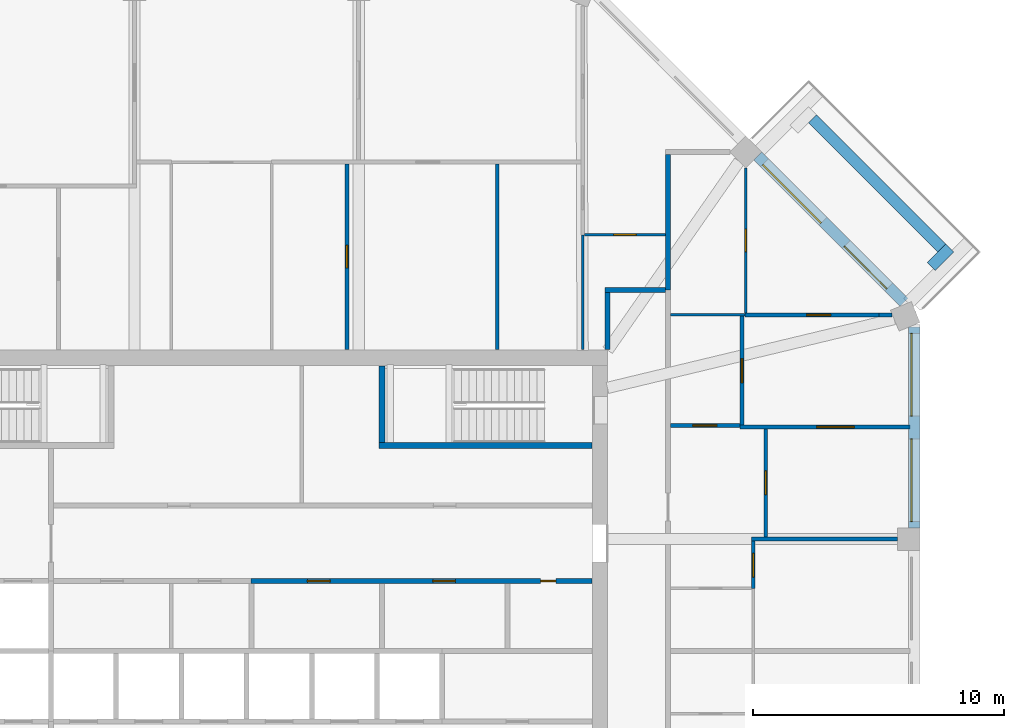
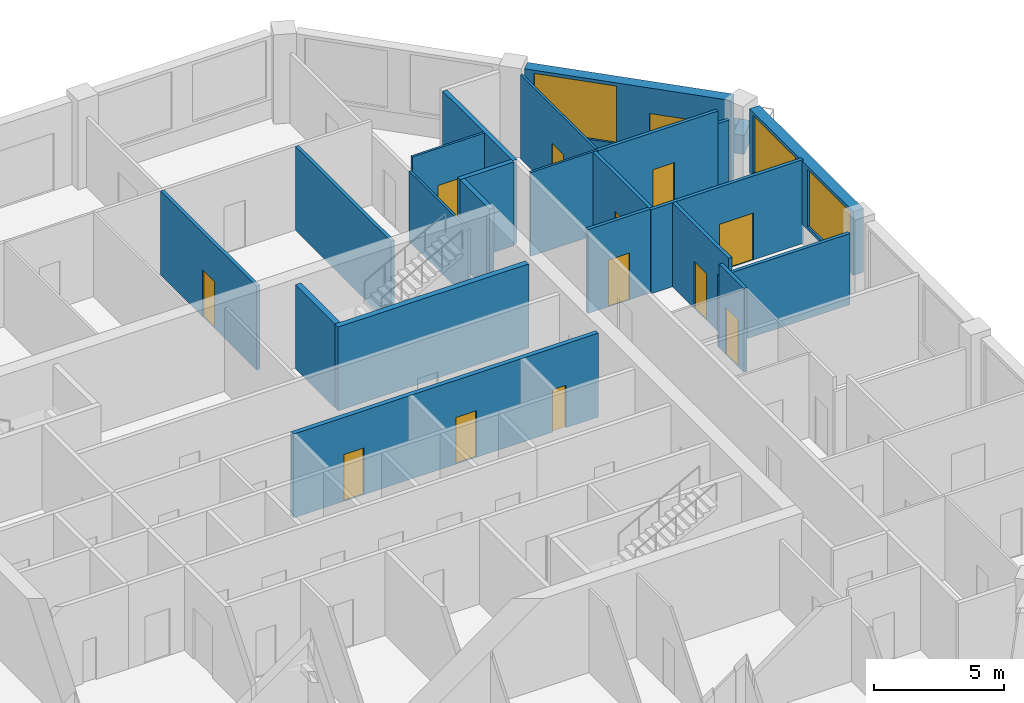
# One storey, part 9 of 11: 24 walls, 13 doors, 3 windows, 16 openings.
"""IFC4 building model written with IfcOpenShell, lengths in metres."""

from ifc_helpers import new_model, si_unit, direction, frame, frame_2d, origin, place, context, subcontext, project, spatial, rectangle, extrude, material, layer, layer_set, type_object, element, fill, save


model = new_model("IFC4")

# Units and contexts
model_context = context("Model", 3, precision=1e-05, world=origin(), true_north=direction((0.0, 1.0)))
body_context = subcontext(model_context, "Body", "Model", "MODEL_VIEW")
ifc_project = project(units=[si_unit("LENGTHUNIT", "METRE"), si_unit("AREAUNIT", "SQUARE_METRE"), si_unit("VOLUMEUNIT", "CUBIC_METRE"), si_unit("PLANEANGLEUNIT", "RADIAN"), si_unit("MASSUNIT", "GRAM", prefix="KILO")], contexts=[model_context])

# Site, building, storey
site_placement = place(None, origin())
site = spatial("IfcSite", under=ifc_project, at=site_placement, CompositionType="ELEMENT")
building_placement = place(site_placement, origin())
building = spatial("IfcBuilding", under=site, at=building_placement, Name="Msitu Wima Residences", CompositionType="ELEMENT")
storey_placement = place(building_placement, frame((0.0, 0.0, 264.300048828125)))
storey = spatial("IfcBuildingStorey", under=building, at=storey_placement, Name="L61", CompositionType="ELEMENT", Elevation=264.300048828125)

# Walls
ifc_material_1 = material(Name="Facing brick")
ifc_layer_1 = layer(ifc_material_1, 0.06494140625, Name="Facing brick")
ifc_material_2 = material(Name="Concrete C40/50", Category="concrete")
ifc_layer_2 = layer(ifc_material_2, 0.156005859375, Name="Concrete C40/50")
ifc_material_3 = material(Name="Waterproofing membrane")
ifc_layer_3 = layer(ifc_material_3, 0.00390625, Name="Waterproofing membrane")
ifc_material_4 = material(Name="Planting soil and planting")
ifc_layer_4 = layer(ifc_material_4, 0.22509765625, Name="Planting soil and planting")
ifc_layer_set_1 = layer_set([ifc_layer_1, ifc_layer_2, ifc_layer_3, ifc_layer_4], Name="Concrete C40/50")
wall_type_1 = type_object("IfcWallType", Name="Balcony planter PLANTER PL450", PredefinedType="USERDEFINED", material=ifc_layer_set_1)
wall_1_placement = place(storey_placement, frame((27.725830078125, 16.0751953125, 0.0), z_axis=(0.0, 0.0, 1.0), x_axis=(-0.707106781187, 0.707106781187, 0.0)))
element("IfcWall", 1, at=wall_1_placement, inside=storey, type_object=wall_type_1, Name="Balcony planter NE0 L61", ObjectType="PLANTER", PredefinedType="USERDEFINED", context=body_context, shape_type="SweptSolid", body=[
    extrude(rectangle(XDim=7.288330078125, YDim=0.449951171875, at=frame_2d((3.64404296875, 0.0))), origin(), (0.0, 0.0, 1.0), 0.89990234375),
])
wall_2_placement = place(storey_placement, frame((27.301513671875, 15.332763671875, 0.0), z_axis=(0.0, 0.0, 1.0), x_axis=(0.707106781187, 0.707106781187, 0.0)))
element("IfcWall", 2, at=wall_2_placement, inside=storey, type_object=wall_type_1, Name="Balcony planter NE0 L61", ObjectType="PLANTER", PredefinedType="USERDEFINED", context=body_context, shape_type="SweptSolid", body=[
    extrude(rectangle(XDim=1.050048828125, YDim=0.449951171875, at=frame_2d((0.52490234375, 0.0))), origin(), (0.0, 0.0, 1.0), 0.89990234375),
])

# Wall, openings, windows
ifc_material_5 = material(Name="Brick (red buff mix)", Category="masonry")
ifc_layer_5 = layer(ifc_material_5, 0.449951171875)
ifc_layer_set_2 = layer_set([ifc_layer_5], Name="Brick (red buff mix)")
wall_type_2 = type_object("IfcWallType", Name="Brick infill wall BW450", PredefinedType="SOLIDWALL", material=ifc_layer_set_2)
wall_3_placement = place(storey_placement, frame((26.625, 4.918701171875, 0.89990234375), z_axis=(0.0, 0.0, 1.0), x_axis=(0.0, 1.0, 0.0)))
wall_3 = element("IfcWall", 3, at=wall_3_placement, inside=storey, type_object=wall_type_2, Name="Brick infill wall L61 E2", PredefinedType="SOLIDWALL", context=body_context, shape_type="SweptSolid", body=[
    extrude(rectangle(XDim=8.0, YDim=0.449951171875, at=frame_2d((4.0, 0.0))), origin(), (0.0, 0.0, 1.0), 3.0),
])
opening_1_placement = place(wall_3_placement, frame((0.25, 0.0, 0.14990234375)))
opening_1 = element("IfcOpeningElement", 4, at=opening_1_placement, cuts=wall_3, Name="Opening W60-62.004", PredefinedType="OPENING", context=body_context, shape_type="SweptSolid", body=[
    extrude(rectangle(XDim=3.300048828125, YDim=2.699951171875, at=frame_2d((1.64990234375, 1.35009765625))), frame((0.0, 0.23486328125, 0.0), z_axis=(0.0, -1.0, 0.0), x_axis=(1.0, 0.0, 0.0)), (0.0, 0.0, 1.0), 0.469970703125),
])
opening_2_placement = place(wall_3_placement, frame((4.4501953125, 0.0, 0.14990234375)))
opening_2 = element("IfcOpeningElement", 5, at=opening_2_placement, cuts=wall_3, Name="Opening W60-62.005", PredefinedType="OPENING", context=body_context, shape_type="SweptSolid", body=[
    extrude(rectangle(XDim=3.300048828125, YDim=2.699951171875, at=frame_2d((1.64990234375, 1.35009765625))), frame((0.0, 0.23486328125, 0.0), z_axis=(0.0, -1.0, 0.0), x_axis=(1.0, 0.0, 0.0)), (0.0, 0.0, 1.0), 0.469970703125),
])
ifc_material_6 = material(Name="Anodised aluminium, bronze finish, clear low-emissivity double glazing", Category="aluminium")
window_type = type_object("IfcWindowType", Name="Window W3300x2700", PartitioningType="DOUBLE_PANEL_VERTICAL", PredefinedType="WINDOW", material=ifc_material_6)
window_1_placement = place(opening_1_placement, origin())
window_1 = element("IfcWindow", 6, at=window_1_placement, inside=storey, type_object=window_type, Name="Window L61 E2.1", OverallHeight=2.699951171875, OverallWidth=3.300048828125, PartitioningType="SINGLE_PANEL", PredefinedType="WINDOW", context=body_context, shape_type="SweptSolid", body=[
    extrude(rectangle(XDim=3.300048828125, YDim=2.699951171875, at=frame_2d((1.64990234375, 1.35009765625))), frame((0.0, 0.135009765625, 0.0), z_axis=(0.0, -1.0, 0.0), x_axis=(1.0, 0.0, 0.0)), (0.0, 0.0, 1.0), 0.06005859375),
])
fill(opening_1, window_1)
window_2_placement = place(opening_2_placement, origin())
window_2 = element("IfcWindow", 7, at=window_2_placement, inside=storey, type_object=window_type, Name="Window L61 E2.2", OverallHeight=2.699951171875, OverallWidth=3.300048828125, PartitioningType="SINGLE_PANEL", PredefinedType="WINDOW", context=body_context, shape_type="SweptSolid", body=[
    extrude(rectangle(XDim=3.300048828125, YDim=2.699951171875, at=frame_2d((1.64990234375, 1.35009765625))), frame((0.0, 0.135009765625, 0.0), z_axis=(0.0, -1.0, 0.0), x_axis=(1.0, 0.0, 0.0)), (0.0, 0.0, 1.0), 0.06005859375),
])
fill(opening_2, window_2)

# Wall, openings, door, window
wall_4_placement = place(storey_placement, frame((26.214599609375, 13.909423828125, 0.0), z_axis=(0.0, 0.0, 1.0), x_axis=(-0.707106781187, 0.707106781187, 0.0)))
wall_4 = element("IfcWall", 8, at=wall_4_placement, inside=storey, type_object=wall_type_2, Name="Brick infill wall L61 NE0", PredefinedType="SOLIDWALL", context=body_context, shape_type="SweptSolid", body=[
    extrude(rectangle(XDim=8.251220703125, YDim=0.449951171875, at=frame_2d((4.12548828125, 0.0))), origin(), (0.0, 0.0, 1.0), 3.89990234375),
])
opening_3_placement = place(wall_4_placement, frame((0.86279296875, 0.0, 0.0)))
opening_3 = element("IfcOpeningElement", 9, at=opening_3_placement, cuts=wall_4, Name="Opening D60-62.003", PredefinedType="OPENING", context=body_context, shape_type="SweptSolid", body=[
    extrude(rectangle(XDim=2.39990234375, YDim=2.699951171875, at=frame_2d((1.199951171875, 1.35009765625))), frame((0.0, 0.23486328125, 0.0), z_axis=(0.0, -1.0, 0.0), x_axis=(1.0, 0.0, 0.0)), (0.0, 0.0, 1.0), 0.469970703125),
])
opening_4_placement = place(wall_4_placement, frame((4.57568359375, 0.0, 1.050048828125)))
opening_4 = element("IfcOpeningElement", 10, at=opening_4_placement, cuts=wall_4, Name="Opening W60-62.011", PredefinedType="OPENING", context=body_context, shape_type="SweptSolid", body=[
    extrude(rectangle(XDim=3.300048828125, YDim=2.699951171875, at=frame_2d((1.64990234375, 1.35009765625))), frame((0.0, 0.23486328125, 0.0), z_axis=(0.0, -1.0, 0.0), x_axis=(1.0, 0.0, 0.0)), (0.0, 0.0, 1.0), 0.469970703125),
])
door_type_1 = type_object("IfcDoorType", Name="Balcony door D2400x2700", OperationType="SLIDING_TO_LEFT", PredefinedType="DOOR", material=ifc_material_6)
door_1_placement = place(opening_3_placement, origin())
door_1 = element("IfcDoor", 11, at=door_1_placement, inside=storey, type_object=door_type_1, Name="Balcony door L61 NE0", OperationType="SINGLE_SWING_LEFT", OverallHeight=2.699951171875, OverallWidth=2.39990234375, PredefinedType="DOOR", context=body_context, shape_type="SweptSolid", body=[
    extrude(rectangle(XDim=2.39990234375, YDim=2.699951171875, at=frame_2d((1.199951171875, 1.35009765625))), frame((0.0, 0.1298828125, 0.0), z_axis=(0.0, -1.0, 0.0), x_axis=(1.0, 0.0, 0.0)), (0.0, 0.0, 1.0), 0.050048828125),
])
fill(opening_3, door_1)
window_3_placement = place(opening_4_placement, origin())
window_3 = element("IfcWindow", 12, at=window_3_placement, inside=storey, type_object=window_type, Name="Window L61 NE0.2", OverallHeight=2.699951171875, OverallWidth=3.300048828125, PartitioningType="SINGLE_PANEL", PredefinedType="WINDOW", context=body_context, shape_type="SweptSolid", body=[
    extrude(rectangle(XDim=3.300048828125, YDim=2.699951171875, at=frame_2d((1.64990234375, 1.35009765625))), frame((0.0, 0.135009765625, 0.0), z_axis=(0.0, -1.0, 0.0), x_axis=(1.0, 0.0, 0.0)), (0.0, 0.0, 1.0), 0.06005859375),
])
fill(opening_4, window_3)

# Walls
ifc_material_7 = material(Name="Plaster")
ifc_layer_6 = layer(ifc_material_7, 0.011962890625, Name="Plaster")
ifc_material_8 = material(Name="Concrete blockwork", Category="masonry")
ifc_layer_7 = layer(ifc_material_8, 0.176025390625, Name="Concrete blockwork")
ifc_layer_8 = layer(ifc_material_7, 0.011962890625, Name="Plaster")
ifc_layer_set_3 = layer_set([ifc_layer_6, ifc_layer_7, ifc_layer_8], Name="Concrete blockwork")
wall_type_3 = type_object("IfcWallType", Name="Corridor wall FW200", PredefinedType="PARTITIONING", material=ifc_layer_set_3)
wall_5_placement = place(storey_placement, frame((14.39990234375, 12.030029296875, 0.0), z_axis=(0.0, 0.0, 1.0), x_axis=(0.0, 1.0, 0.0)))
element("IfcWall", 13, at=wall_5_placement, inside=storey, type_object=wall_type_3, Name="Corridor wall", PredefinedType="PARTITIONING", context=body_context, shape_type="SweptSolid", body=[
    extrude(rectangle(XDim=2.27001953125, YDim=0.199951171875, at=frame_2d((1.135009765625, 0.0))), origin(), (0.0, 0.0, 1.0), 3.949951171875),
])
wall_6_placement = place(storey_placement, frame((14.300048828125, 14.39990234375, 0.0), z_axis=(0.0, 0.0, 1.0), x_axis=(1.0, 0.0, 0.0)))
element("IfcWall", 14, at=wall_6_placement, inside=storey, type_object=wall_type_3, Name="Corridor wall", PredefinedType="PARTITIONING", context=body_context, shape_type="SweptSolid", body=[
    extrude(rectangle(XDim=2.39990234375, YDim=0.199951171875, at=frame_2d((1.199951171875, 0.0))), origin(), (0.0, 0.0, 1.0), 3.949951171875),
])

# Wall, opening, door
ifc_layer_9 = layer(ifc_material_7, 0.011962890625, Name="Plaster")
ifc_layer_10 = layer(ifc_material_8, 0.1259765625, Name="Concrete blockwork")
ifc_layer_11 = layer(ifc_material_7, 0.011962890625, Name="Plaster")
ifc_layer_set_4 = layer_set([ifc_layer_9, ifc_layer_10, ifc_layer_11], Name="Concrete blockwork")
wall_type_4 = type_object("IfcWallType", Name="Partition PW150", PredefinedType="PARTITIONING", material=ifc_layer_set_4)
wall_7_placement = place(storey_placement, frame((4.0, 12.030029296875, 0.0), z_axis=(0.0, 0.0, 1.0), x_axis=(0.0, 1.0, 0.0)))
wall_7 = element("IfcWall", 15, at=wall_7_placement, inside=storey, type_object=wall_type_4, Name="Partition", PredefinedType="PARTITIONING", context=body_context, shape_type="SweptSolid", body=[
    extrude(rectangle(XDim=7.39501953125, YDim=0.14990234375, at=frame_2d((3.697509765625, 0.0))), origin(), (0.0, 0.0, 1.0), 3.949951171875),
])
opening_5_placement = place(wall_7_placement, frame((3.25, 0.0, 0.0)))
opening_5 = element("IfcOpeningElement", 16, at=opening_5_placement, cuts=wall_7, Name="Opening D60-62.029", PredefinedType="OPENING", context=body_context, shape_type="SweptSolid", body=[
    extrude(rectangle(XDim=0.89990234375, YDim=2.199951171875, at=frame_2d((0.449951171875, 1.10009765625))), frame((0.0, 0.0849609375, 0.0), z_axis=(0.0, -1.0, 0.0), x_axis=(1.0, 0.0, 0.0)), (0.0, 0.0, 1.0), 0.169921875),
])
ifc_material_9 = material(Name="Timber flush door", Category="wood")
door_type_2 = type_object("IfcDoorType", Name="Service door D05 900x2200", OperationType="SINGLE_SWING_LEFT", PredefinedType="DOOR", material=ifc_material_9)
door_2_placement = place(opening_5_placement, origin())
door_2 = element("IfcDoor", 17, at=door_2_placement, inside=storey, type_object=door_type_2, Name="Service door", OperationType="SINGLE_SWING_LEFT", OverallHeight=2.199951171875, OverallWidth=0.89990234375, PredefinedType="DOOR", context=body_context, shape_type="SweptSolid", body=[
    extrude(rectangle(XDim=0.89990234375, YDim=2.199951171875, at=frame_2d((0.449951171875, 1.10009765625))), frame((0.0, 0.02490234375, 0.0), z_axis=(0.0, -1.0, 0.0), x_axis=(1.0, 0.0, 0.0)), (0.0, 0.0, 1.0), 0.050048828125),
])
fill(opening_5, door_2)

# Wall
wall_8_placement = place(storey_placement, frame((10.0, 12.030029296875, 0.0), z_axis=(0.0, 0.0, 1.0), x_axis=(0.0, 1.0, 0.0)))
element("IfcWall", 18, at=wall_8_placement, inside=storey, type_object=wall_type_4, Name="Partition", PredefinedType="PARTITIONING", context=body_context, shape_type="SweptSolid", body=[
    extrude(rectangle(XDim=7.39501953125, YDim=0.14990234375, at=frame_2d((3.697509765625, 0.0))), origin(), (0.0, 0.0, 1.0), 3.949951171875),
])

# Wall, opening, door
wall_9_placement = place(storey_placement, frame((16.89990234375, 9.0, 0.0), z_axis=(0.0, 0.0, 1.0), x_axis=(1.0, 0.0, 0.0)))
wall_9 = element("IfcWall", 19, at=wall_9_placement, inside=storey, type_object=wall_type_4, Name="Partition", PredefinedType="PARTITIONING", context=body_context, shape_type="SweptSolid", body=[
    extrude(rectangle(XDim=2.775146484375, YDim=0.14990234375, at=frame_2d((1.3876953125, 0.0))), origin(), (0.0, 0.0, 1.0), 3.949951171875),
])
opening_6_placement = place(wall_9_placement, frame((0.89990234375, 0.0, 0.0)))
opening_6 = element("IfcOpeningElement", 20, at=opening_6_placement, cuts=wall_9, Name="Opening D60-62.019", PredefinedType="OPENING", context=body_context, shape_type="SweptSolid", body=[
    extrude(rectangle(XDim=0.949951171875, YDim=2.199951171875, at=frame_2d((0.47509765625, 1.10009765625))), frame((0.0, 0.0849609375, 0.0), z_axis=(0.0, -1.0, 0.0), x_axis=(1.0, 0.0, 0.0)), (0.0, 0.0, 1.0), 0.169921875),
])
door_type_3 = type_object("IfcDoorType", Name="Room door D12 950x2200", OperationType="SINGLE_SWING_LEFT", PredefinedType="DOOR", material=ifc_material_9)
door_3_placement = place(opening_6_placement, origin())
door_3 = element("IfcDoor", 21, at=door_3_placement, inside=storey, type_object=door_type_3, Name="Room door", OperationType="SINGLE_SWING_LEFT", OverallHeight=2.199951171875, OverallWidth=0.949951171875, PredefinedType="DOOR", context=body_context, shape_type="SweptSolid", body=[
    extrude(rectangle(XDim=0.949951171875, YDim=2.199951171875, at=frame_2d((0.47509765625, 1.10009765625))), frame((0.0, 0.02490234375, 0.0), z_axis=(0.0, -1.0, 0.0), x_axis=(1.0, 0.0, 0.0)), (0.0, 0.0, 1.0), 0.050048828125),
])
fill(opening_6, door_3)

wall_10_placement = place(storey_placement, frame((19.75, 9.01220703125, 0.0), z_axis=(0.0, 0.0, 1.0), x_axis=(0.0, 1.0, 0.0)))
wall_10 = element("IfcWall", 22, at=wall_10_placement, inside=storey, type_object=wall_type_4, Name="Partition", PredefinedType="PARTITIONING", context=body_context, shape_type="SweptSolid", body=[
    extrude(rectangle(XDim=4.34375, YDim=0.14990234375, at=frame_2d((2.171875, 0.0))), origin(), (0.0, 0.0, 1.0), 3.949951171875),
])
opening_7_placement = place(wall_10_placement, frame((1.699951171875, 0.0, 0.0)))
opening_7 = element("IfcOpeningElement", 23, at=opening_7_placement, cuts=wall_10, Name="Opening D60-62.025", PredefinedType="OPENING", context=body_context, shape_type="SweptSolid", body=[
    extrude(rectangle(XDim=0.949951171875, YDim=2.199951171875, at=frame_2d((0.47509765625, 1.10009765625))), frame((0.0, 0.0849609375, 0.0), z_axis=(0.0, -1.0, 0.0), x_axis=(1.0, 0.0, 0.0)), (0.0, 0.0, 1.0), 0.169921875),
])
door_4_placement = place(opening_7_placement, origin())
door_4 = element("IfcDoor", 24, at=door_4_placement, inside=storey, type_object=door_type_3, Name="Room door", OperationType="SINGLE_SWING_LEFT", OverallHeight=2.199951171875, OverallWidth=0.949951171875, PredefinedType="DOOR", context=body_context, shape_type="SweptSolid", body=[
    extrude(rectangle(XDim=0.949951171875, YDim=2.199951171875, at=frame_2d((0.47509765625, 1.10009765625))), frame((0.0, 0.02490234375, 0.0), z_axis=(0.0, -1.0, 0.0), x_axis=(1.0, 0.0, 0.0)), (0.0, 0.0, 1.0), 0.050048828125),
])
fill(opening_7, door_4)

wall_11_placement = place(storey_placement, frame((19.675048828125, 8.937255859375, 0.0), z_axis=(0.0, 0.0, 1.0), x_axis=(1.0, 0.0, 0.0)))
wall_11 = element("IfcWall", 25, at=wall_11_placement, inside=storey, type_object=wall_type_4, Name="Partition", PredefinedType="PARTITIONING", context=body_context, shape_type="SweptSolid", body=[
    extrude(rectangle(XDim=6.780029296875, YDim=0.14990234375, at=frame_2d((3.39013671875, 0.0))), origin(), (0.0, 0.0, 1.0), 3.949951171875),
])
opening_8_placement = place(wall_11_placement, frame((3.050048828125, 0.0, 0.0)))
opening_8 = element("IfcOpeningElement", 26, at=opening_8_placement, cuts=wall_11, Name="Opening D60-62.022", PredefinedType="OPENING", context=body_context, shape_type="SweptSolid", body=[
    extrude(rectangle(XDim=1.5, YDim=2.199951171875, at=frame_2d((0.75, 1.10009765625))), frame((0.0, 0.0849609375, 0.0), z_axis=(0.0, -1.0, 0.0), x_axis=(1.0, 0.0, 0.0)), (0.0, 0.0, 1.0), 0.169921875),
])
ifc_material_10 = material(Name="Timber double door", Category="wood")
door_type_4 = type_object("IfcDoorType", Name="Double door D04 1500x2200", OperationType="DOUBLE_DOOR_SINGLE_SWING", PredefinedType="DOOR", material=ifc_material_10)
door_5_placement = place(opening_8_placement, origin())
door_5 = element("IfcDoor", 27, at=door_5_placement, inside=storey, type_object=door_type_4, Name="Double door", OperationType="DOUBLE_DOOR_SINGLE_SWING", OverallHeight=2.199951171875, OverallWidth=1.5, PredefinedType="DOOR", context=body_context, shape_type="SweptSolid", body=[
    extrude(rectangle(XDim=1.5, YDim=2.199951171875, at=frame_2d((0.75, 1.10009765625))), frame((0.0, 0.02490234375, 0.0), z_axis=(0.0, -1.0, 0.0), x_axis=(1.0, 0.0, 0.0)), (0.0, 0.0, 1.0), 0.050048828125),
])
fill(opening_8, door_5)

wall_12_placement = place(storey_placement, frame((19.883056640625, 13.406005859375, 0.0), z_axis=(0.0, 0.0, 1.0), x_axis=(1.0, 0.0, 0.0)))
wall_12 = element("IfcWall", 28, at=wall_12_placement, inside=storey, type_object=wall_type_4, Name="Partition", PredefinedType="PARTITIONING", context=body_context, shape_type="SweptSolid", body=[
    extrude(rectangle(XDim=5.341064453125, YDim=0.14990234375, at=frame_2d((2.67041015625, 0.0))), origin(), (0.0, 0.0, 1.0), 3.949951171875),
])
opening_9_placement = place(wall_12_placement, frame((2.449951171875, 0.0, 0.0)))
opening_9 = element("IfcOpeningElement", 29, at=opening_9_placement, cuts=wall_12, Name="Opening D60-62.023", PredefinedType="OPENING", context=body_context, shape_type="SweptSolid", body=[
    extrude(rectangle(XDim=0.949951171875, YDim=2.199951171875, at=frame_2d((0.47509765625, 1.10009765625))), frame((0.0, 0.0849609375, 0.0), z_axis=(0.0, -1.0, 0.0), x_axis=(1.0, 0.0, 0.0)), (0.0, 0.0, 1.0), 0.169921875),
])
door_6_placement = place(opening_9_placement, origin())
door_6 = element("IfcDoor", 30, at=door_6_placement, inside=storey, type_object=door_type_3, Name="Room door", OperationType="SINGLE_SWING_RIGHT", OverallHeight=2.199951171875, OverallWidth=0.949951171875, PredefinedType="DOOR", context=body_context, shape_type="SweptSolid", body=[
    extrude(rectangle(XDim=0.949951171875, YDim=2.199951171875, at=frame_2d((0.47509765625, 1.10009765625))), frame((0.0, 0.02490234375, 0.0), z_axis=(0.0, -1.0, 0.0), x_axis=(1.0, 0.0, 0.0)), (0.0, 0.0, 1.0), 0.050048828125),
])
fill(opening_9, door_6)

# Wall
wall_13_placement = place(storey_placement, frame((25.22412109375, 13.406005859375, 0.0), z_axis=(0.0, 0.0, 1.0), x_axis=(1.0, 0.0, 0.0)))
element("IfcWall", 31, at=wall_13_placement, inside=storey, type_object=wall_type_4, Name="Partition", PredefinedType="PARTITIONING", context=body_context, shape_type="SweptSolid", body=[
    extrude(rectangle(XDim=0.507080078125, YDim=0.14990234375, at=frame_2d((0.25341796875, 0.0))), origin(), (0.0, 0.0, 1.0), 3.349853515625),
])

# Wall, opening, door
wall_14_placement = place(storey_placement, frame((20.199951171875, 2.5, 0.0), z_axis=(0.0, 0.0, 1.0), x_axis=(0.0, 1.0, 0.0)))
wall_14 = element("IfcWall", 32, at=wall_14_placement, inside=storey, type_object=wall_type_4, Name="Partition", PredefinedType="PARTITIONING", context=body_context, shape_type="SweptSolid", body=[
    extrude(rectangle(XDim=1.8935546875, YDim=0.14990234375, at=frame_2d((0.94677734375, 0.0))), origin(), (0.0, 0.0, 1.0), 3.949951171875),
])
opening_10_placement = place(wall_14_placement, frame((0.449951171875, 0.0, 0.0)))
opening_10 = element("IfcOpeningElement", 33, at=opening_10_placement, cuts=wall_14, Name="Opening D60-62.020", PredefinedType="OPENING", context=body_context, shape_type="SweptSolid", body=[
    extrude(rectangle(XDim=0.949951171875, YDim=2.199951171875, at=frame_2d((0.47509765625, 1.10009765625))), frame((0.0, 0.0849609375, 0.0), z_axis=(0.0, -1.0, 0.0), x_axis=(1.0, 0.0, 0.0)), (0.0, 0.0, 1.0), 0.169921875),
])
door_7_placement = place(opening_10_placement, origin())
door_7 = element("IfcDoor", 34, at=door_7_placement, inside=storey, type_object=door_type_3, Name="Room door", OperationType="SINGLE_SWING_LEFT", OverallHeight=2.199951171875, OverallWidth=0.949951171875, PredefinedType="DOOR", context=body_context, shape_type="SweptSolid", body=[
    extrude(rectangle(XDim=0.949951171875, YDim=2.199951171875, at=frame_2d((0.47509765625, 1.10009765625))), frame((0.0, 0.02490234375, 0.0), z_axis=(0.0, -1.0, 0.0), x_axis=(1.0, 0.0, 0.0)), (0.0, 0.0, 1.0), 0.050048828125),
])
fill(opening_10, door_7)

# Wall
wall_15_placement = place(storey_placement, frame((20.125, 4.46875, 0.0), z_axis=(0.0, 0.0, 1.0), x_axis=(1.0, 0.0, 0.0)))
element("IfcWall", 35, at=wall_15_placement, inside=storey, type_object=wall_type_4, Name="Partition", PredefinedType="PARTITIONING", context=body_context, shape_type="SweptSolid", body=[
    extrude(rectangle(XDim=5.824951171875, YDim=0.14990234375, at=frame_2d((2.91259765625, 0.0))), origin(), (0.0, 0.0, 1.0), 3.349853515625),
])

# Wall, opening, door
wall_16_placement = place(storey_placement, frame((20.699951171875, 4.543701171875, 0.0), z_axis=(0.0, 0.0, 1.0), x_axis=(0.0, 1.0, 0.0)))
wall_16 = element("IfcWall", 36, at=wall_16_placement, inside=storey, type_object=wall_type_4, Name="Partition", PredefinedType="PARTITIONING", context=body_context, shape_type="SweptSolid", body=[
    extrude(rectangle(XDim=4.318603515625, YDim=0.14990234375, at=frame_2d((2.1591796875, 0.0))), origin(), (0.0, 0.0, 1.0), 3.949951171875),
])
opening_11_placement = place(wall_16_placement, frame((1.699951171875, 0.0, 0.0)))
opening_11 = element("IfcOpeningElement", 37, at=opening_11_placement, cuts=wall_16, Name="Opening D60-62.021", PredefinedType="OPENING", context=body_context, shape_type="SweptSolid", body=[
    extrude(rectangle(XDim=0.949951171875, YDim=2.199951171875, at=frame_2d((0.47509765625, 1.10009765625))), frame((0.0, 0.0849609375, 0.0), z_axis=(0.0, -1.0, 0.0), x_axis=(1.0, 0.0, 0.0)), (0.0, 0.0, 1.0), 0.169921875),
])
door_8_placement = place(opening_11_placement, origin())
door_8 = element("IfcDoor", 38, at=door_8_placement, inside=storey, type_object=door_type_3, Name="Room door", OperationType="SINGLE_SWING_LEFT", OverallHeight=2.199951171875, OverallWidth=0.949951171875, PredefinedType="DOOR", context=body_context, shape_type="SweptSolid", body=[
    extrude(rectangle(XDim=0.949951171875, YDim=2.199951171875, at=frame_2d((0.47509765625, 1.10009765625))), frame((0.0, 0.02490234375, 0.0), z_axis=(0.0, -1.0, 0.0), x_axis=(1.0, 0.0, 0.0)), (0.0, 0.0, 1.0), 0.050048828125),
])
fill(opening_11, door_8)

# Wall
ifc_layer_12 = layer(ifc_material_7, 0.011962890625, Name="Plaster")
ifc_material_11 = material(Name="Dense concrete blockwork", Category="masonry")
ifc_layer_13 = layer(ifc_material_11, 0.176025390625, Name="Dense concrete blockwork")
ifc_layer_14 = layer(ifc_material_7, 0.011962890625, Name="Plaster")
ifc_layer_set_5 = layer_set([ifc_layer_12, ifc_layer_13, ifc_layer_14], Name="Dense concrete blockwork")
wall_type_5 = type_object("IfcWallType", Name="Party wall PW200", PredefinedType="PARTITIONING", material=ifc_layer_set_5)
wall_17_placement = place(storey_placement, frame((16.800048828125, 14.39990234375, 0.0), z_axis=(0.0, 0.0, 1.0), x_axis=(0.0, 1.0, 0.0)))
element("IfcWall", 39, at=wall_17_placement, inside=storey, type_object=wall_type_5, Name="Party wall", PredefinedType="PARTITIONING", context=body_context, shape_type="SweptSolid", body=[
    extrude(rectangle(XDim=5.403076171875, YDim=0.199951171875, at=frame_2d((2.70166015625, 0.0))), origin(), (0.0, 0.0, 1.0), 3.949951171875),
])

# Wall, openings, doors
ifc_layer_15 = layer(ifc_material_7, 0.011962890625, Name="Plaster")
ifc_material_12 = material(Name="Reinforced concrete blockwork", Category="masonry")
ifc_layer_16 = layer(ifc_material_12, 0.176025390625, Name="Reinforced concrete blockwork")
ifc_layer_17 = layer(ifc_material_7, 0.011962890625, Name="Plaster")
ifc_layer_set_6 = layer_set([ifc_layer_15, ifc_layer_16, ifc_layer_17], Name="Reinforced concrete blockwork")
wall_type_6 = type_object("IfcWallType", Name="Plant and riser wall PL200", PredefinedType="PARTITIONING", material=ifc_layer_set_6)
wall_18_placement = place(storey_placement, frame((0.179931640625, 2.800048828125, 0.0), z_axis=(0.0, 0.0, 1.0), x_axis=(1.0, 0.0, 0.0)))
wall_18 = element("IfcWall", 40, at=wall_18_placement, inside=storey, type_object=wall_type_6, Name="Plant and riser wall", PredefinedType="PARTITIONING", context=body_context, shape_type="SweptSolid", body=[
    extrude(rectangle(XDim=13.590087890625, YDim=0.199951171875, at=frame_2d((6.794921875, 0.0))), origin(), (0.0, 0.0, 1.0), 3.949951171875),
])
opening_12_placement = place(wall_18_placement, frame((11.550048828125, 0.0, 0.0)))
opening_12 = element("IfcOpeningElement", 41, at=opening_12_placement, cuts=wall_18, Name="Opening D60-62.083", PredefinedType="OPENING", context=body_context, shape_type="SweptSolid", body=[
    extrude(rectangle(XDim=0.60009765625, YDim=2.0, at=frame_2d((0.300048828125, 1.0))), frame((0.0, 0.10986328125, 0.0), z_axis=(0.0, -1.0, 0.0), x_axis=(1.0, 0.0, 0.0)), (0.0, 0.0, 1.0), 0.219970703125),
])
opening_13_placement = place(wall_18_placement, frame((2.25, 0.0, 0.0)))
opening_13 = element("IfcOpeningElement", 42, at=opening_13_placement, cuts=wall_18, Name="Opening D60-62.081", PredefinedType="OPENING", context=body_context, shape_type="SweptSolid", body=[
    extrude(rectangle(XDim=0.89990234375, YDim=2.199951171875, at=frame_2d((0.449951171875, 1.10009765625))), frame((0.0, 0.10986328125, 0.0), z_axis=(0.0, -1.0, 0.0), x_axis=(1.0, 0.0, 0.0)), (0.0, 0.0, 1.0), 0.219970703125),
])
opening_14_placement = place(wall_18_placement, frame((7.25, 0.0, 0.0)))
opening_14 = element("IfcOpeningElement", 43, at=opening_14_placement, cuts=wall_18, Name="Opening D60-62.082", PredefinedType="OPENING", context=body_context, shape_type="SweptSolid", body=[
    extrude(rectangle(XDim=0.89990234375, YDim=2.199951171875, at=frame_2d((0.449951171875, 1.10009765625))), frame((0.0, 0.10986328125, 0.0), z_axis=(0.0, -1.0, 0.0), x_axis=(1.0, 0.0, 0.0)), (0.0, 0.0, 1.0), 0.219970703125),
])
ifc_material_13 = material(Name="Steel access door, fire resisting", Category="steel")
door_type_5 = type_object("IfcDoorType", Name="Riser access door D08 600x2000", OperationType="SINGLE_SWING_LEFT", PredefinedType="DOOR", material=ifc_material_13)
door_9_placement = place(opening_12_placement, origin())
door_9 = element("IfcDoor", 44, at=door_9_placement, inside=storey, type_object=door_type_5, Name="Riser access door", OperationType="SINGLE_SWING_RIGHT", OverallHeight=2.0, OverallWidth=0.60009765625, PredefinedType="DOOR", context=body_context, shape_type="SweptSolid", body=[
    extrude(rectangle(XDim=0.60009765625, YDim=2.0, at=frame_2d((0.300048828125, 1.0))), frame((0.0, 0.02490234375, 0.0), z_axis=(0.0, -1.0, 0.0), x_axis=(1.0, 0.0, 0.0)), (0.0, 0.0, 1.0), 0.050048828125),
])
fill(opening_12, door_9)
door_10_placement = place(opening_13_placement, origin())
door_10 = element("IfcDoor", 45, at=door_10_placement, inside=storey, type_object=door_type_2, Name="Service door", OperationType="SINGLE_SWING_LEFT", OverallHeight=2.199951171875, OverallWidth=0.89990234375, PredefinedType="DOOR", context=body_context, shape_type="SweptSolid", body=[
    extrude(rectangle(XDim=0.89990234375, YDim=2.199951171875, at=frame_2d((0.449951171875, 1.10009765625))), frame((0.0, 0.02490234375, 0.0), z_axis=(0.0, -1.0, 0.0), x_axis=(1.0, 0.0, 0.0)), (0.0, 0.0, 1.0), 0.050048828125),
])
fill(opening_13, door_10)
door_11_placement = place(opening_14_placement, origin())
door_11 = element("IfcDoor", 46, at=door_11_placement, inside=storey, type_object=door_type_2, Name="Service door", OperationType="SINGLE_SWING_RIGHT", OverallHeight=2.199951171875, OverallWidth=0.89990234375, PredefinedType="DOOR", context=body_context, shape_type="SweptSolid", body=[
    extrude(rectangle(XDim=0.89990234375, YDim=2.199951171875, at=frame_2d((0.449951171875, 1.10009765625))), frame((0.0, 0.02490234375, 0.0), z_axis=(0.0, -1.0, 0.0), x_axis=(1.0, 0.0, 0.0)), (0.0, 0.0, 1.0), 0.050048828125),
])
fill(opening_14, door_11)

# Walls
ifc_material_14 = material(Name="Concrete C50/60", Category="concrete")
ifc_layer_18 = layer(ifc_material_14, 0.25)
ifc_layer_set_7 = layer_set([ifc_layer_18], Name="Concrete C50/60")
wall_type_7 = type_object("IfcWallType", Name="Stair enclosure wall SW250", PredefinedType="SHEAR", material=ifc_layer_set_7)
wall_19_placement = place(storey_placement, frame((5.39990234375, 8.324951171875, 0.0), z_axis=(0.0, 0.0, 1.0), x_axis=(0.0, 1.0, 0.0)))
element("IfcWall", 47, at=wall_19_placement, inside=storey, type_object=wall_type_7, Name="Stair enclosure wall", PredefinedType="SHEAR", context=body_context, shape_type="SweptSolid", body=[
    extrude(rectangle(XDim=3.045166015625, YDim=0.25, at=frame_2d((1.5224609375, 0.0))), origin(), (0.0, 0.0, 1.0), 3.949951171875),
])
wall_20_placement = place(storey_placement, frame((5.27490234375, 8.199951171875, 0.0), z_axis=(0.0, 0.0, 1.0), x_axis=(1.0, 0.0, 0.0)))
element("IfcWall", 48, at=wall_20_placement, inside=storey, type_object=wall_type_7, Name="Stair enclosure wall", PredefinedType="SHEAR", context=body_context, shape_type="SweptSolid", body=[
    extrude(rectangle(XDim=8.4951171875, YDim=0.25, at=frame_2d((4.24755859375, 0.0))), origin(), (0.0, 0.0, 1.0), 3.949951171875),
])
ifc_material_15 = material(Name="Ceramic tiles")
ifc_layer_19 = layer(ifc_material_15, 0.008056640625, Name="Ceramic tiles")
ifc_material_16 = material(Name="Moisture-resistant board")
ifc_layer_20 = layer(ifc_material_16, 0.012451171875, Name="Moisture-resistant board")
ifc_material_17 = material(Name="Light-gauge stud framing with mineral wool")
ifc_layer_21 = layer(ifc_material_17, 0.06689453125, Name="Light-gauge stud framing with mineral wool")
ifc_layer_22 = layer(ifc_material_16, 0.012451171875, Name="Moisture-resistant board")
ifc_layer_set_8 = layer_set([ifc_layer_19, ifc_layer_20, ifc_layer_21, ifc_layer_22], Name="Light-gauge stud framing with mineral wool")
wall_type_8 = type_object("IfcWallType", Name="Wet wall PW100", PredefinedType="PARTITIONING", material=ifc_layer_set_8)
wall_21_placement = place(storey_placement, frame((13.406005859375, 12.030029296875, 0.0), z_axis=(0.0, 0.0, 1.0), x_axis=(0.0, 1.0, 0.0)))
element("IfcWall", 49, at=wall_21_placement, inside=storey, type_object=wall_type_8, Name="Wet wall", PredefinedType="PARTITIONING", context=body_context, shape_type="SweptSolid", body=[
    extrude(rectangle(XDim=4.570068359375, YDim=0.10009765625, at=frame_2d((2.28515625, 0.0))), origin(), (0.0, 0.0, 1.0), 3.300048828125),
])

# Wall, opening, door
wall_22_placement = place(storey_placement, frame((13.48095703125, 16.60009765625, 0.0), z_axis=(0.0, 0.0, 1.0), x_axis=(1.0, 0.0, 0.0)))
wall_22 = element("IfcWall", 50, at=wall_22_placement, inside=storey, type_object=wall_type_8, Name="Wet wall", PredefinedType="PARTITIONING", context=body_context, shape_type="SweptSolid", body=[
    extrude(rectangle(XDim=3.218994140625, YDim=0.10009765625, at=frame_2d((1.609375, 0.0))), origin(), (0.0, 0.0, 1.0), 3.949951171875),
])
opening_15_placement = place(wall_22_placement, frame((1.14990234375, 0.0, 0.0)))
opening_15 = element("IfcOpeningElement", 51, at=opening_15_placement, cuts=wall_22, Name="Opening D60-62.030", PredefinedType="OPENING", context=body_context, shape_type="SweptSolid", body=[
    extrude(rectangle(XDim=0.89990234375, YDim=2.199951171875, at=frame_2d((0.449951171875, 1.10009765625))), frame((0.0, 0.06005859375, 0.0), z_axis=(0.0, -1.0, 0.0), x_axis=(1.0, 0.0, 0.0)), (0.0, 0.0, 1.0), 0.1201171875),
])
ifc_material_18 = material(Name="Timber flush door, moisture resistant", Category="wood")
door_type_6 = type_object("IfcDoorType", Name="Bathroom door D03 900x2200", OperationType="SINGLE_SWING_LEFT", PredefinedType="DOOR", material=ifc_material_18)
door_12_placement = place(opening_15_placement, origin())
door_12 = element("IfcDoor", 52, at=door_12_placement, inside=storey, type_object=door_type_6, Name="Bathroom door", OperationType="SINGLE_SWING_LEFT", OverallHeight=2.199951171875, OverallWidth=0.89990234375, PredefinedType="DOOR", context=body_context, shape_type="SweptSolid", body=[
    extrude(rectangle(XDim=0.89990234375, YDim=2.199951171875, at=frame_2d((0.449951171875, 1.10009765625))), frame((0.0, 0.02490234375, 0.0), z_axis=(0.0, -1.0, 0.0), x_axis=(1.0, 0.0, 0.0)), (0.0, 0.0, 1.0), 0.050048828125),
])
fill(opening_15, door_12)

# Wall
wall_23_placement = place(storey_placement, frame((16.89990234375, 13.406005859375, 0.0), z_axis=(0.0, 0.0, 1.0), x_axis=(1.0, 0.0, 0.0)))
element("IfcWall", 53, at=wall_23_placement, inside=storey, type_object=wall_type_8, Name="Wet wall", PredefinedType="PARTITIONING", context=body_context, shape_type="SweptSolid", body=[
    extrude(rectangle(XDim=2.983154296875, YDim=0.10009765625, at=frame_2d((1.49169921875, 0.0))), origin(), (0.0, 0.0, 1.0), 3.949951171875),
])

# Wall, opening, door
wall_24_placement = place(storey_placement, frame((19.90283203125, 13.48095703125, 0.0), z_axis=(0.0, 0.0, 1.0), x_axis=(0.0, 1.0, 0.0)))
wall_24 = element("IfcWall", 54, at=wall_24_placement, inside=storey, type_object=wall_type_8, Name="Wet wall", PredefinedType="PARTITIONING", context=body_context, shape_type="SweptSolid", body=[
    extrude(rectangle(XDim=5.78564453125, YDim=0.10009765625, at=frame_2d((2.892822265625, 0.0))), origin(), (0.0, 0.0, 1.0), 3.949951171875),
])
opening_16_placement = place(wall_24_placement, frame((2.449951171875, 0.0, 0.0)))
opening_16 = element("IfcOpeningElement", 55, at=opening_16_placement, cuts=wall_24, Name="Opening D60-62.024", PredefinedType="OPENING", context=body_context, shape_type="SweptSolid", body=[
    extrude(rectangle(XDim=0.89990234375, YDim=2.199951171875, at=frame_2d((0.449951171875, 1.10009765625))), frame((0.0, 0.06005859375, 0.0), z_axis=(0.0, -1.0, 0.0), x_axis=(1.0, 0.0, 0.0)), (0.0, 0.0, 1.0), 0.1201171875),
])
door_13_placement = place(opening_16_placement, origin())
door_13 = element("IfcDoor", 56, at=door_13_placement, inside=storey, type_object=door_type_6, Name="Bathroom door", OperationType="SINGLE_SWING_LEFT", OverallHeight=2.199951171875, OverallWidth=0.89990234375, PredefinedType="DOOR", context=body_context, shape_type="SweptSolid", body=[
    extrude(rectangle(XDim=0.89990234375, YDim=2.199951171875, at=frame_2d((0.449951171875, 1.10009765625))), frame((0.0, 0.02490234375, 0.0), z_axis=(0.0, -1.0, 0.0), x_axis=(1.0, 0.0, 0.0)), (0.0, 0.0, 1.0), 0.050048828125),
])
fill(opening_16, door_13)

save(model, "model.ifc")
